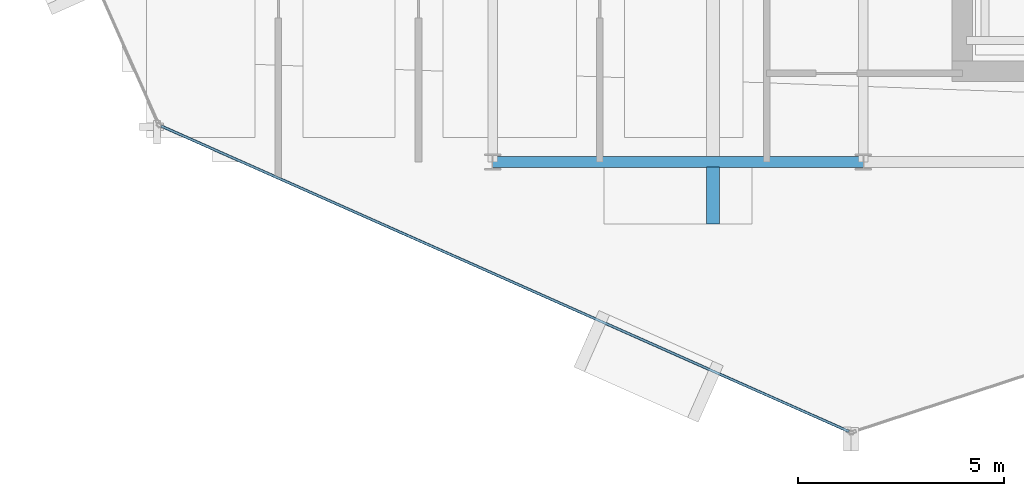
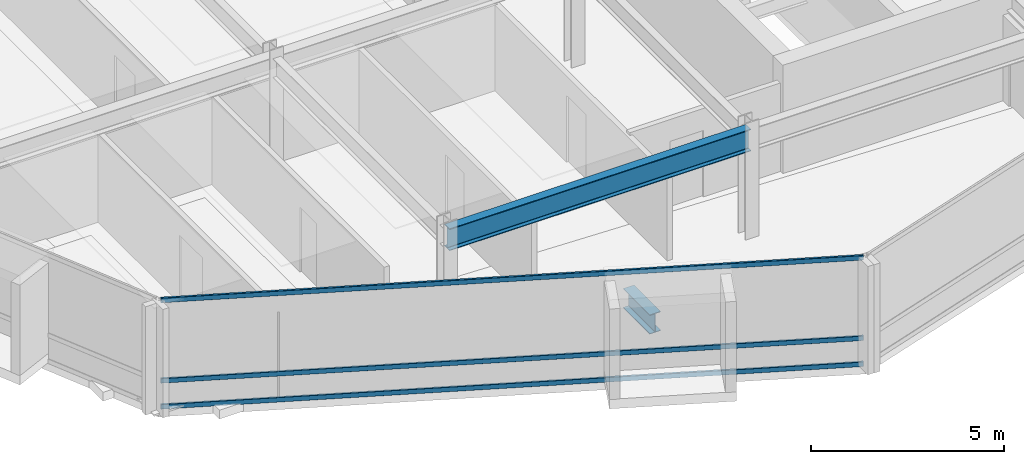
# One storey, part 3 of 27: 3 members, 2 beams, 1 element without a shape of its own.
"""IFC4 building model written with IfcOpenShell, lengths in metres."""

from ifc_helpers import new_model, si_unit, direction, frame, origin, origin_2d, place, context, subcontext, project, spatial, hollow_rectangle, i_section, extrude, material, layer, layer_set, material_profile, profile_set, type_object, element, aggregate, save


model = new_model("IFC4")

# Units and contexts
model_context = context("Model", 3, precision=1e-05, world=origin(), true_north=direction((0.0, 1.0)))
body_context = subcontext(model_context, "Body", "Model", "MODEL_VIEW")
ifc_project = project(units=[si_unit("LENGTHUNIT", "METRE"), si_unit("AREAUNIT", "SQUARE_METRE"), si_unit("VOLUMEUNIT", "CUBIC_METRE"), si_unit("PLANEANGLEUNIT", "RADIAN"), si_unit("MASSUNIT", "GRAM", prefix="KILO")], contexts=[model_context])

# Site, building, storey
site_placement = place(None, origin())
site = spatial("IfcSite", under=ifc_project, at=site_placement, CompositionType="ELEMENT")
building_placement = place(site_placement, origin())
building = spatial("IfcBuilding", under=site, at=building_placement, Name="Solvaryn Broadcast Tower", CompositionType="ELEMENT")
storey_placement = place(building_placement, frame((0.0, 0.0, 221.0)))
storey = spatial("IfcBuildingStorey", under=building, at=storey_placement, Name="L55", CompositionType="ELEMENT", Elevation=221.0)

# Beams
ifc_material_1 = material(Name="Steel ASTM A992 Grade 50", Category="steel")
ifc_material_profile_1 = material_profile(ifc_material_1, i_section(OverallWidth=0.323974609375, OverallDepth=0.611083984375, WebThickness=0.0126953125, FlangeThickness=0.01904296875, FilletRadius=0.014892578125, at=origin_2d()))
ifc_profile_set_1 = profile_set([ifc_material_profile_1], Name="Steel ASTM A992 Grade 50")
beam_type_1 = type_object("IfcBeamType", Name="BM-CANT-TER", PredefinedType="BEAM", material=ifc_profile_set_1)
beam_1_placement = place(storey_placement, frame((23.35009765625, 8.875, -0.58544921875), z_axis=(0.0, -1.0, 0.0), x_axis=(1.0, 0.0, 0.0)))
element("IfcBeam", 1, at=beam_1_placement, inside=storey, type_object=beam_type_1, Name="L55 Bay-Box Cantilever Bracket 1", PredefinedType="BEAM", context=body_context, shape_type="SweptSolid", body=[
    extrude(i_section(OverallWidth=0.323974609375, OverallDepth=0.611083984375, WebThickness=0.0126953125, FlangeThickness=0.01904296875, FilletRadius=0.014892578125, at=origin_2d()), origin(), (0.0, 0.0, 1.0), 1.375),
])
ifc_material_2 = material(Name="Steel ASTM A992 Grade 50", Category="steel")
ifc_material_profile_2 = material_profile(ifc_material_2, i_section(OverallWidth=0.256103515625, OverallDepth=0.693115234375, WebThickness=0.014404296875, FlangeThickness=0.023681640625, FilletRadius=0.01611328125, at=origin_2d()))
ifc_profile_set_2 = profile_set([ifc_material_profile_2], Name="Steel ASTM A992 Grade 50")
beam_type_2 = type_object("IfcBeamType", Name="BM-SP3-W27X114", PredefinedType="USERDEFINED", material=ifc_profile_set_2)
beam_2_placement = place(storey_placement, frame((18.0, 9.0, 3.073486328125), z_axis=(1.0, 0.0, 0.0), x_axis=(0.0, 1.0, 0.0)))
element("IfcBeam", 2, at=beam_2_placement, inside=storey, type_object=beam_type_2, Name="L55 Spandrel Beam X (18-27 @ Y=9)", ObjectType="SPANDREL", PredefinedType="USERDEFINED", context=body_context, shape_type="SweptSolid", body=[
    extrude(i_section(OverallWidth=0.256103515625, OverallDepth=0.693115234375, WebThickness=0.014404296875, FlangeThickness=0.023681640625, FilletRadius=0.01611328125, at=origin_2d()), origin(), (0.0, 0.0, 1.0), 9.0),
])

# Curtain wall, members
ifc_material_3 = material(Name="Aluminium and Terracotta Unitised Curtain Wall", Category="masonry")
ifc_layer = layer(ifc_material_3, 0.199951171875)
ifc_layer_set = layer_set([ifc_layer], Name="CW-SYS2-LOWMID")
curtain_wall_type = type_object("IfcCurtainWallType", Name="CW-SYS2-LOWMID", PredefinedType="NOTDEFINED", material=ifc_layer_set)
curtain_wall_placement = place(storey_placement, origin())
curtain_wall = element("IfcCurtainWall", 3, at=curtain_wall_placement, inside=storey, type_object=curtain_wall_type, Name="L55 Curtain Wall DR3", PredefinedType="NOTDEFINED")
ifc_material_4 = material(Name="Anodised Aluminium 6063-T6", Category="aluminium")
ifc_material_profile_3 = material_profile(ifc_material_4, hollow_rectangle(XDim=0.06494140625, YDim=0.14990234375, WallThickness=0.00390625, InnerFilletRadius=0.00390625, OuterFilletRadius=0.008056640625, at=origin_2d()))
ifc_profile_set_3 = profile_set([ifc_material_profile_3], Name="Anodised Aluminium 6063-T6")
member_type = type_object("IfcMemberType", Name="CW-TRN-150", PredefinedType="USERDEFINED", material=ifc_profile_set_3)
member_1_placement = place(storey_placement, frame((9.952880859375, 9.87353515625, 0.030029296875), z_axis=(0.913916761992, -0.405901653299, 0.0), x_axis=(0.405901653299, 0.913916761992, 0.0)))
member_1 = element("IfcMember", 4, at=member_1_placement, type_object=member_type, Name="CWS2 transom 1.1", ObjectType="TRANSOM", PredefinedType="USERDEFINED", context=body_context, shape_type="SweptSolid", body=[
    extrude(hollow_rectangle(XDim=0.06494140625, YDim=0.14990234375, WallThickness=0.00390625, InnerFilletRadius=0.00390625, OuterFilletRadius=0.008056640625, at=origin_2d()), origin(), (0.0, 0.0, 1.0), 18.27099609375),
])
member_2_placement = place(storey_placement, frame((9.952880859375, 9.87353515625, 0.85009765625), z_axis=(0.913916761992, -0.405901653299, 0.0), x_axis=(0.405901653299, 0.913916761992, 0.0)))
member_2 = element("IfcMember", 5, at=member_2_placement, type_object=member_type, Name="CWS2 transom 1.2", ObjectType="TRANSOM", PredefinedType="USERDEFINED", context=body_context, shape_type="SweptSolid", body=[
    extrude(hollow_rectangle(XDim=0.06494140625, YDim=0.14990234375, WallThickness=0.00390625, InnerFilletRadius=0.00390625, OuterFilletRadius=0.008056640625, at=origin_2d()), origin(), (0.0, 0.0, 1.0), 18.27099609375),
])
member_3_placement = place(storey_placement, frame((9.952880859375, 9.87353515625, 3.389892578125), z_axis=(0.913916761992, -0.405901653299, 0.0), x_axis=(0.405901653299, 0.913916761992, 0.0)))
member_3 = element("IfcMember", 6, at=member_3_placement, type_object=member_type, Name="CWS2 transom 1.3", ObjectType="TRANSOM", PredefinedType="USERDEFINED", context=body_context, shape_type="SweptSolid", body=[
    extrude(hollow_rectangle(XDim=0.06494140625, YDim=0.14990234375, WallThickness=0.00390625, InnerFilletRadius=0.00390625, OuterFilletRadius=0.008056640625, at=origin_2d()), origin(), (0.0, 0.0, 1.0), 18.27099609375),
])
aggregate(curtain_wall, [member_1, member_2, member_3])

save(model, "model.ifc")
